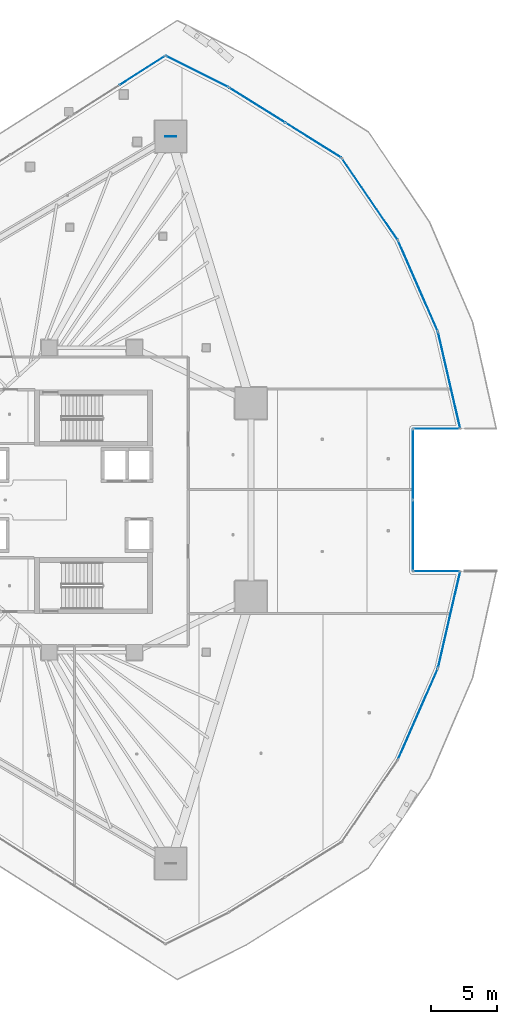
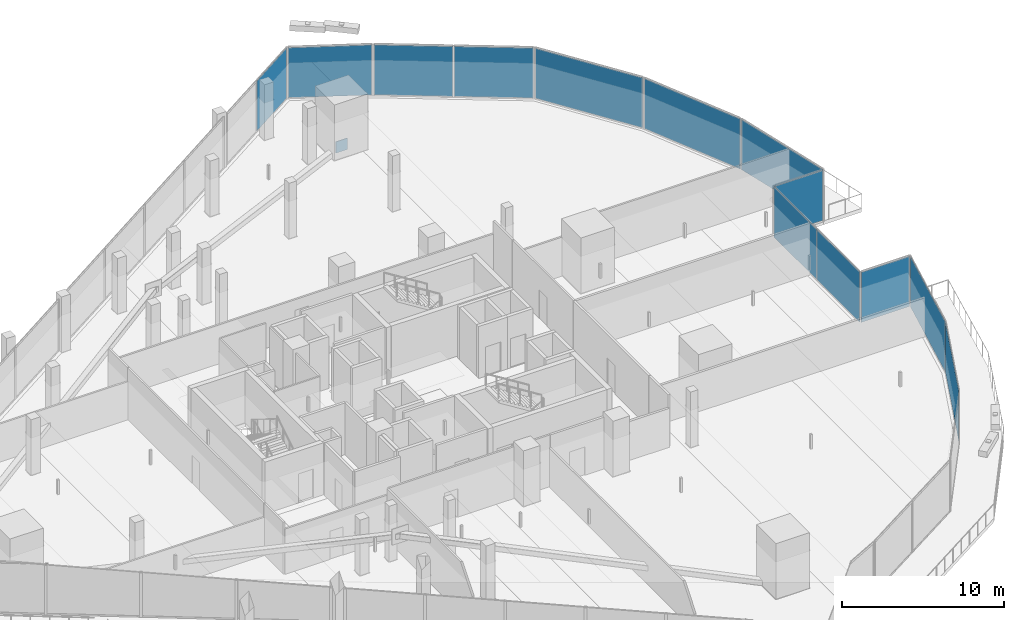
# One storey, part 29 of 45: 14 plates, 11 elements without a shape of their own.
"""IFC4 building model written with IfcOpenShell, lengths in metres."""

from ifc_helpers import new_model, si_unit, direction, frame, origin, origin_2d, place, context, subcontext, project, spatial, rectangle, extrude, material, layer, layer_set, type_object, element, aggregate, save


model = new_model("IFC4")

# Units and contexts
model_context = context("Model", 3, precision=1e-05, world=origin(), true_north=direction((0.0, 1.0)))
body_context = subcontext(model_context, "Body", "Model", "MODEL_VIEW")
ifc_project = project(units=[si_unit("LENGTHUNIT", "METRE"), si_unit("AREAUNIT", "SQUARE_METRE"), si_unit("VOLUMEUNIT", "CUBIC_METRE"), si_unit("PLANEANGLEUNIT", "RADIAN"), si_unit("MASSUNIT", "GRAM", prefix="KILO")], contexts=[model_context])

# Site, building, storey
site_placement = place(None, origin())
site = spatial("IfcSite", under=ifc_project, at=site_placement, CompositionType="ELEMENT")
building_placement = place(site_placement, origin())
building = spatial("IfcBuilding", under=site, at=building_placement, Name="Qorvath Tower", CompositionType="ELEMENT")
storey_placement = place(building_placement, frame((0.0, 0.0, 49.199951171875)))
storey = spatial("IfcBuildingStorey", under=building, at=storey_placement, Name="L10", CompositionType="ELEMENT", Elevation=49.199951171875)

# Curtain wall, plate
ifc_material_1 = material(Name="Anodised aluminium and triple low-E glass", Category="aluminium")
ifc_layer_1 = layer(ifc_material_1, 0.179931640625)
ifc_layer_set_1 = layer_set([ifc_layer_1], Name="CW-SYS-2")
curtain_wall_type = type_object("IfcCurtainWallType", Name="CW-SYS-2", PredefinedType="NOTDEFINED", material=ifc_layer_set_1)
curtain_wall_1_placement = place(storey_placement, origin())
curtain_wall_1 = element("IfcCurtainWall", 1, at=curtain_wall_1_placement, inside=storey, type_object=curtain_wall_type, Name="Curtain Wall CW-2 CW-T-L10-6.1", PredefinedType="NOTDEFINED")
ifc_material_2 = material(Name="Low-E triple insulated glass", Category="glass")
ifc_layer_2 = layer(ifc_material_2, 0.031982421875)
ifc_layer_set_2 = layer_set([ifc_layer_2], Name="CWP-GLZ-32")
plate_type_1 = type_object("IfcPlateType", Name="CWP-GLZ-32", PredefinedType="CURTAIN_PANEL", material=ifc_layer_set_2)
plate_1_placement = place(storey_placement, frame((4.127197265625, -16.095703125, 0.065185546875), z_axis=(0.0, 0.0, 1.0), x_axis=(0.401177069819, 0.916000523281, 0.0)))
plate_1 = element("IfcPlate", 2, at=plate_1_placement, type_object=plate_type_1, Name="CW-2 panel 1.1", PredefinedType="CURTAIN_PANEL", context=body_context, shape_type="SweptSolid", body=[
    extrude(rectangle(XDim=7.366943359375, YDim=0.031982421875, at=origin_2d()), origin(), (0.0, 0.0, 1.0), 3.7900390625),
])
aggregate(curtain_wall_1, [plate_1])

curtain_wall_2_placement = place(storey_placement, origin())
curtain_wall_2 = element("IfcCurtainWall", 3, at=curtain_wall_2_placement, inside=storey, type_object=curtain_wall_type, Name="Curtain Wall CW-2 CW-T-L10-7.1", PredefinedType="NOTDEFINED")
plate_2_placement = place(storey_placement, frame((6.47265625, -9.009521484375, 0.065185546875), z_axis=(0.0, 0.0, 1.0), x_axis=(0.224535087188, 0.974466004857, 0.0)))
plate_2 = element("IfcPlate", 4, at=plate_2_placement, type_object=plate_type_1, Name="CW-2 panel 1.1", PredefinedType="CURTAIN_PANEL", context=body_context, shape_type="SweptSolid", body=[
    extrude(rectangle(XDim=7.366943359375, YDim=0.031982421875, at=origin_2d()), origin(), (0.0, 0.0, 1.0), 3.7900390625),
])
aggregate(curtain_wall_2, [plate_2])

curtain_wall_3_placement = place(storey_placement, origin())
curtain_wall_3 = element("IfcCurtainWall", 5, at=curtain_wall_3_placement, inside=storey, type_object=curtain_wall_type, Name="Curtain Wall CW-2 CW-T-L10-8.1", PredefinedType="NOTDEFINED")
plate_3_placement = place(storey_placement, frame((5.528564453125, -5.356689453125, 0.065185546875), z_axis=(0.0, 0.0, 1.0), x_axis=(-1.0, 0.0, 0.0)))
plate_3 = element("IfcPlate", 6, at=plate_3_placement, type_object=plate_type_1, Name="CW-2 panel 1.1", PredefinedType="CURTAIN_PANEL", context=body_context, shape_type="SweptSolid", body=[
    extrude(rectangle(XDim=3.44140625, YDim=0.031982421875, at=origin_2d()), origin(), (0.0, 0.0, 1.0), 3.7900390625),
])
aggregate(curtain_wall_3, [plate_3])

# Curtain wall, plates
curtain_wall_4_placement = place(storey_placement, origin())
curtain_wall_4 = element("IfcCurtainWall", 7, at=curtain_wall_4_placement, inside=storey, type_object=curtain_wall_type, Name="Curtain Wall CW-2 CW-T-L10-9.1", PredefinedType="NOTDEFINED")
plate_4_placement = place(storey_placement, frame((3.742919921875, -2.662109375, 0.065185546875), z_axis=(0.0, 0.0, 1.0), x_axis=(0.0, 1.0, 0.0)))
plate_4 = element("IfcPlate", 8, at=plate_4_placement, type_object=plate_type_1, Name="CW-2 panel 1.1", PredefinedType="CURTAIN_PANEL", context=body_context, shape_type="SweptSolid", body=[
    extrude(rectangle(XDim=5.25927734375, YDim=0.031982421875, at=origin_2d()), origin(), (0.0, 0.0, 1.0), 3.7900390625),
])
plate_5_placement = place(storey_placement, frame((3.742919921875, 2.662109375, 0.065185546875), z_axis=(0.0, 0.0, 1.0), x_axis=(0.0, 1.0, 0.0)))
plate_5 = element("IfcPlate", 9, at=plate_5_placement, type_object=plate_type_1, Name="CW-2 panel 2.1", PredefinedType="CURTAIN_PANEL", context=body_context, shape_type="SweptSolid", body=[
    extrude(rectangle(XDim=5.25927734375, YDim=0.031982421875, at=origin_2d()), origin(), (0.0, 0.0, 1.0), 3.7900390625),
])
aggregate(curtain_wall_4, [plate_4, plate_5])

# Curtain wall, plate
curtain_wall_5_placement = place(storey_placement, origin())
curtain_wall_5 = element("IfcCurtainWall", 10, at=curtain_wall_5_placement, inside=storey, type_object=curtain_wall_type, Name="Curtain Wall CW-2 CW-T-L10-10.1", PredefinedType="NOTDEFINED")
plate_6_placement = place(storey_placement, frame((5.528564453125, 5.356689453125, 0.065185546875), z_axis=(0.0, 0.0, 1.0), x_axis=(1.0, 0.0, 0.0)))
plate_6 = element("IfcPlate", 11, at=plate_6_placement, type_object=plate_type_1, Name="CW-2 panel 1.1", PredefinedType="CURTAIN_PANEL", context=body_context, shape_type="SweptSolid", body=[
    extrude(rectangle(XDim=3.44140625, YDim=0.031982421875, at=origin_2d()), origin(), (0.0, 0.0, 1.0), 3.7900390625),
])
aggregate(curtain_wall_5, [plate_6])

curtain_wall_6_placement = place(storey_placement, origin())
curtain_wall_6 = element("IfcCurtainWall", 12, at=curtain_wall_6_placement, inside=storey, type_object=curtain_wall_type, Name="Curtain Wall CW-2 CW-T-L10-11.1", PredefinedType="NOTDEFINED")
plate_7_placement = place(storey_placement, frame((6.47265625, 9.009521484375, 0.065185546875), z_axis=(0.0, 0.0, 1.0), x_axis=(-0.224535087188, 0.974466004857, 0.0)))
plate_7 = element("IfcPlate", 13, at=plate_7_placement, type_object=plate_type_1, Name="CW-2 panel 1.1", PredefinedType="CURTAIN_PANEL", context=body_context, shape_type="SweptSolid", body=[
    extrude(rectangle(XDim=7.366943359375, YDim=0.031982421875, at=origin_2d()), origin(), (0.0, 0.0, 1.0), 3.7900390625),
])
aggregate(curtain_wall_6, [plate_7])

curtain_wall_7_placement = place(storey_placement, origin())
curtain_wall_7 = element("IfcCurtainWall", 14, at=curtain_wall_7_placement, inside=storey, type_object=curtain_wall_type, Name="Curtain Wall CW-2 CW-T-L10-12.1", PredefinedType="NOTDEFINED")
plate_8_placement = place(storey_placement, frame((4.127197265625, 16.095703125, 0.065185546875), z_axis=(0.0, 0.0, 1.0), x_axis=(-0.401177069819, 0.916000523281, 0.0)))
plate_8 = element("IfcPlate", 15, at=plate_8_placement, type_object=plate_type_1, Name="CW-2 panel 1.1", PredefinedType="CURTAIN_PANEL", context=body_context, shape_type="SweptSolid", body=[
    extrude(rectangle(XDim=7.366943359375, YDim=0.031982421875, at=origin_2d()), origin(), (0.0, 0.0, 1.0), 3.7900390625),
])
aggregate(curtain_wall_7, [plate_8])

curtain_wall_8_placement = place(storey_placement, origin())
curtain_wall_8 = element("IfcCurtainWall", 16, at=curtain_wall_8_placement, inside=storey, type_object=curtain_wall_type, Name="Curtain Wall CW-2 CW-T-L10-13.1", PredefinedType="NOTDEFINED")
plate_9_placement = place(storey_placement, frame((0.509521484375, 22.625, 0.065185546875), z_axis=(0.0, 0.0, 1.0), x_axis=(-0.563891314535, 0.825849008834, 0.0)))
plate_9 = element("IfcPlate", 17, at=plate_9_placement, type_object=plate_type_1, Name="CW-2 panel 1.1", PredefinedType="CURTAIN_PANEL", context=body_context, shape_type="SweptSolid", body=[
    extrude(rectangle(XDim=7.366943359375, YDim=0.031982421875, at=origin_2d()), origin(), (0.0, 0.0, 1.0), 3.7900390625),
])
aggregate(curtain_wall_8, [plate_9])

# Curtain wall, plates
curtain_wall_9_placement = place(storey_placement, origin())
curtain_wall_9 = element("IfcCurtainWall", 18, at=curtain_wall_9_placement, inside=storey, type_object=curtain_wall_type, Name="Curtain Wall CW-2 CW-T-L10-14.1", PredefinedType="NOTDEFINED")
plate_10_placement = place(storey_placement, frame((-3.73974609375, 27.054443359375, 0.065185546875), z_axis=(0.0, 0.0, 1.0), x_axis=(-0.848170054125, 0.529724040691, 0.0)))
plate_10 = element("IfcPlate", 19, at=plate_10_placement, type_object=plate_type_1, Name="CW-2 panel 1.1", PredefinedType="CURTAIN_PANEL", context=body_context, shape_type="SweptSolid", body=[
    extrude(rectangle(XDim=4.90576171875, YDim=0.031982421875, at=origin_2d()), origin(), (0.0, 0.0, 1.0), 3.7900390625),
])
plate_11_placement = place(storey_placement, frame((-7.9560546875, 29.687744140625, 0.065185546875), z_axis=(0.0, 0.0, 1.0), x_axis=(-0.848170054125, 0.529724040691, 0.0)))
plate_11 = element("IfcPlate", 20, at=plate_11_placement, type_object=plate_type_1, Name="CW-2 panel 2.1", PredefinedType="CURTAIN_PANEL", context=body_context, shape_type="SweptSolid", body=[
    extrude(rectangle(XDim=4.90576171875, YDim=0.031982421875, at=origin_2d()), origin(), (0.0, 0.0, 1.0), 3.7900390625),
])
aggregate(curtain_wall_9, [plate_10, plate_11])

# Curtain wall, plate
curtain_wall_10_placement = place(storey_placement, origin())
curtain_wall_10 = element("IfcCurtainWall", 21, at=curtain_wall_10_placement, inside=storey, type_object=curtain_wall_type, Name="Curtain Wall CW-2 CW-T-L10-15.1", PredefinedType="NOTDEFINED")
plate_12_placement = place(storey_placement, frame((-12.477783203125, 32.21484375, 0.065185546875), z_axis=(0.0, 0.0, 1.0), x_axis=(-0.89440470044, 0.447258573792, 0.0)))
plate_12 = element("IfcPlate", 22, at=plate_12_placement, type_object=plate_type_1, Name="CW-2 panel 1.1", PredefinedType="CURTAIN_PANEL", context=body_context, shape_type="SweptSolid", body=[
    extrude(rectangle(XDim=5.205810546875, YDim=0.031982421875, at=origin_2d()), origin(), (0.0, 0.0, 1.0), 3.7900390625),
])
aggregate(curtain_wall_10, [plate_12])

curtain_wall_11_placement = place(storey_placement, origin())
curtain_wall_11 = element("IfcCurtainWall", 23, at=curtain_wall_11_placement, inside=storey, type_object=curtain_wall_type, Name="Curtain Wall CW-2 CW-T-L10-16.1", PredefinedType="NOTDEFINED")
plate_13_placement = place(storey_placement, frame((-16.60205078125, 32.297119140625, 0.065185546875), z_axis=(0.0, 0.0, 1.0), x_axis=(-0.842604485719, -0.538532896531, 0.0)))
plate_13 = element("IfcPlate", 24, at=plate_13_placement, type_object=plate_type_1, Name="CW-2 panel 1.1", PredefinedType="CURTAIN_PANEL", context=body_context, shape_type="SweptSolid", body=[
    extrude(rectangle(XDim=3.995361328125, YDim=0.031982421875, at=origin_2d()), origin(), (0.0, 0.0, 1.0), 3.7900390625),
])
aggregate(curtain_wall_11, [plate_13])

# Plate
ifc_material_3 = material(Name="Steel ASTM A572 Grade 50", Category="steel")
ifc_layer_3 = layer(ifc_material_3, 0.054931640625)
ifc_layer_set_3 = layer_set([ifc_layer_3], Name="PL-MBN1")
plate_type_2 = type_object("IfcPlateType", Name="PL-MBN1", PredefinedType="USERDEFINED", material=ifc_layer_set_3)
plate_14_placement = place(storey_placement, frame((-14.46435546875, 27.330810546875, -0.425048828125), z_axis=(0.0, 0.0, 1.0), x_axis=(1.0, 0.0, 0.0)))
element("IfcPlate", 25, at=plate_14_placement, inside=storey, type_object=plate_type_2, Name="Brace Strut End Gusset Plate NDBG-077", ObjectType="GUSSET", PredefinedType="USERDEFINED", context=body_context, shape_type="SweptSolid", body=[
    extrude(rectangle(XDim=0.800048828125, YDim=0.054931640625, at=origin_2d()), origin(), (0.0, 0.0, 1.0), 0.85009765625),
])

save(model, "model.ifc")
